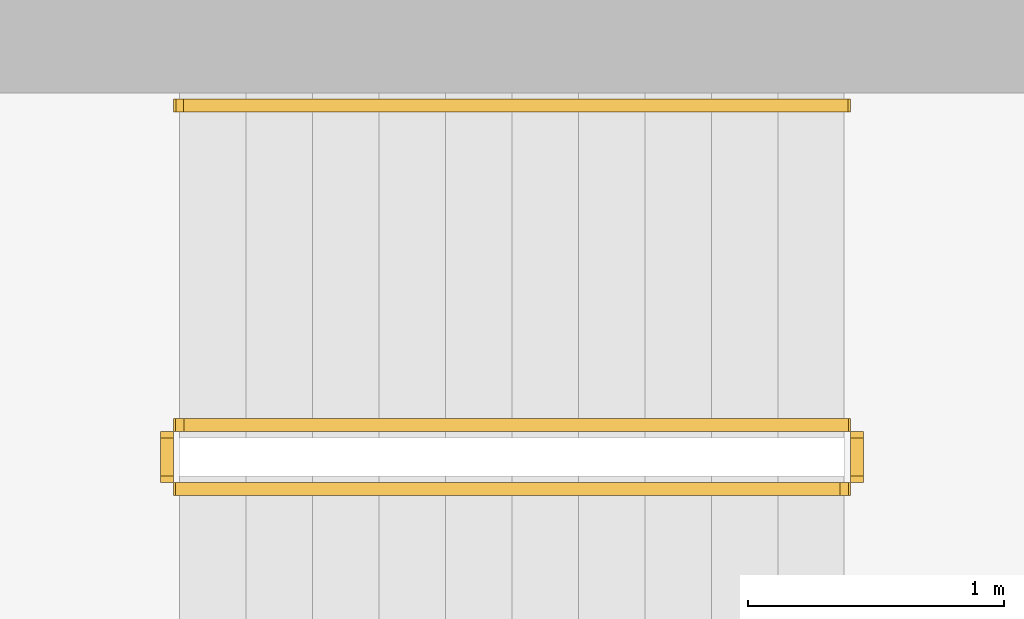
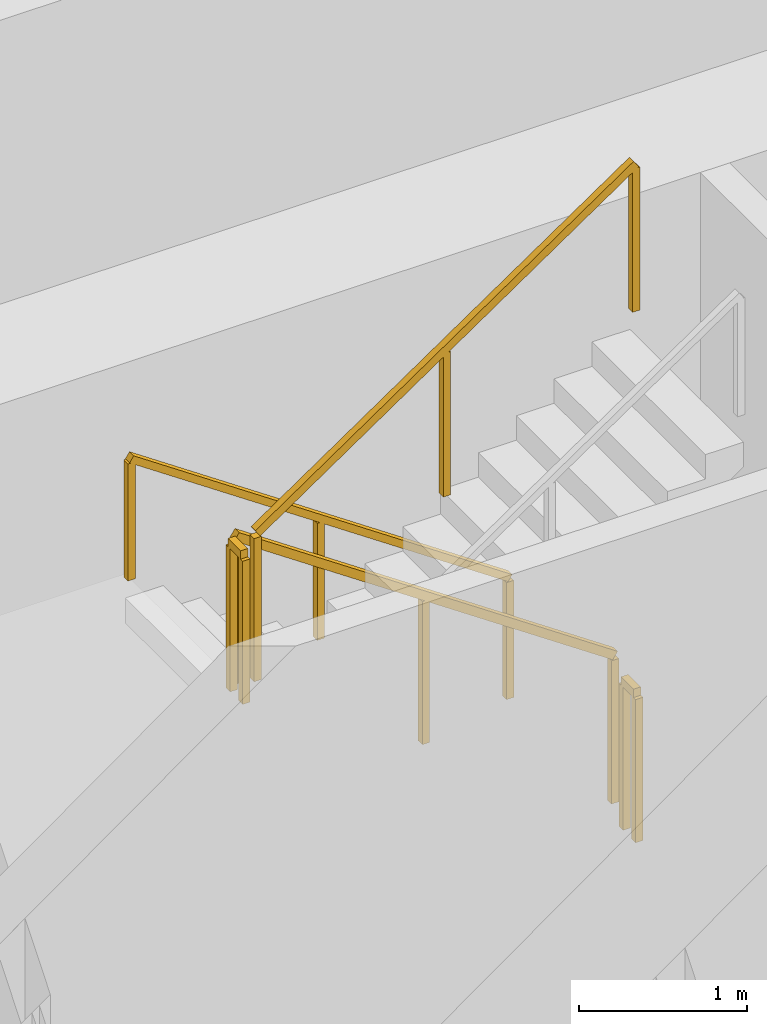
# One storey, part 13 of 14: 5 railings.
"""IFC4 building model written with IfcOpenShell, lengths in metres."""

from ifc_helpers import new_model, si_unit, direction, frame, origin, origin_2d, place, context, subcontext, project, spatial, rectangle, extrude, material, type_object, element, save


model = new_model("IFC4")

# Units and contexts
model_context = context("Model", 3, precision=1e-05, world=origin(), true_north=direction((0.0, 1.0)))
body_context = subcontext(model_context, "Body", "Model", "MODEL_VIEW")
ifc_project = project(units=[si_unit("LENGTHUNIT", "METRE"), si_unit("AREAUNIT", "SQUARE_METRE"), si_unit("VOLUMEUNIT", "CUBIC_METRE"), si_unit("PLANEANGLEUNIT", "RADIAN"), si_unit("MASSUNIT", "GRAM", prefix="KILO")], contexts=[model_context])

# Site, building, storey
site_placement = place(None, origin())
site = spatial("IfcSite", under=ifc_project, at=site_placement, CompositionType="ELEMENT")
building_placement = place(site_placement, origin())
building = spatial("IfcBuilding", under=site, at=building_placement, Name="Khepri Terraces", CompositionType="ELEMENT")
storey_placement = place(building_placement, frame((0.0, 0.0, 267.89990234375)))
storey = spatial("IfcBuildingStorey", under=building, at=storey_placement, Name="L64", CompositionType="ELEMENT", Elevation=267.89990234375)

# Railings
ifc_material = material(Name="Stainless steel 316", Category="steel")
railing_type_1 = type_object("IfcRailingType", Name="RL-CORE-GUARD", PredefinedType="GUARDRAIL", material=ifc_material)
railing_1_placement = place(storey_placement, frame((-0.25, 8.800048828125, 0.177490234375)))
element("IfcRailing", 1, at=railing_1_placement, inside=storey, type_object=railing_type_1, Name="L64 ST-3 stair guard 1", PredefinedType="GUARDRAIL", context=body_context, shape_type="SweptSolid", body=[
    extrude(rectangle(XDim=0.050048828125, YDim=0.06005859375, at=origin_2d()), frame((0.0, 0.0, 1.070068359375), z_axis=(-0.826240473404, 0.0, 0.563317565952), x_axis=(0.0, -1.0, 0.0)), (0.0, 0.0, 1.0), 3.14697265625),
    extrude(rectangle(XDim=0.050048828125, YDim=0.050048828125, at=origin_2d()), origin(), (0.0, 0.0, 1.0), 1.0400390625),
    extrude(rectangle(XDim=0.050048828125, YDim=0.050048828125, at=origin_2d()), frame((-1.300048828125, 0.0, 0.88623046875)), (0.0, 0.0, 1.0), 1.0400390625),
    extrude(rectangle(XDim=0.050048828125, YDim=0.050048828125, at=origin_2d()), frame((-2.60009765625, 0.0, 1.772705078125)), (0.0, 0.0, 1.0), 1.0400390625),
])
railing_2_placement = place(storey_placement, frame((-2.89990234375, 8.75, 1.9501953125)))
element("IfcRailing", 2, at=railing_2_placement, inside=storey, type_object=railing_type_1, Name="L64 ST-3 stair guard 2", PredefinedType="GUARDRAIL", context=body_context, shape_type="SweptSolid", body=[
    extrude(rectangle(XDim=0.050048828125, YDim=0.06005859375, at=origin_2d()), frame((0.0, 0.0, 1.070068359375), z_axis=(0.0, -1.0, 0.0), x_axis=(1.0, 0.0, 0.0)), (0.0, 0.0, 1.0), 0.14990234375),
    extrude(rectangle(XDim=0.050048828125, YDim=0.050048828125, at=origin_2d()), origin(), (0.0, 0.0, 1.0), 1.0400390625),
    extrude(rectangle(XDim=0.050048828125, YDim=0.050048828125, at=origin_2d()), frame((0.0, -0.14990234375, 0.0)), (0.0, 0.0, 1.0), 1.0400390625),
])
railing_3_placement = place(storey_placement, frame((-2.85009765625, 8.550048828125, 2.12744140625)))
element("IfcRailing", 3, at=railing_3_placement, inside=storey, type_object=railing_type_1, Name="L64 ST-3 stair guard 3", PredefinedType="GUARDRAIL", context=body_context, shape_type="SweptSolid", body=[
    extrude(rectangle(XDim=0.050048828125, YDim=0.06005859375, at=origin_2d()), frame((0.0, 0.0, 1.070068359375), z_axis=(0.826240473404, 0.0, 0.563317565952), x_axis=(0.0, 1.0, 0.0)), (0.0, 0.0, 1.0), 3.14697265625),
    extrude(rectangle(XDim=0.050048828125, YDim=0.050048828125, at=origin_2d()), origin(), (0.0, 0.0, 1.0), 1.0400390625),
    extrude(rectangle(XDim=0.050048828125, YDim=0.050048828125, at=origin_2d()), frame((1.300048828125, 0.0, 0.88623046875)), (0.0, 0.0, 1.0), 1.0400390625),
    extrude(rectangle(XDim=0.050048828125, YDim=0.050048828125, at=origin_2d()), frame((2.60009765625, 0.0, 1.772705078125)), (0.0, 0.0, 1.0), 1.0400390625),
])
railing_4_placement = place(storey_placement, frame((-0.199951171875, 8.75, 0.0)))
element("IfcRailing", 4, at=railing_4_placement, inside=storey, type_object=railing_type_1, Name="L64 ST-3 stair guard 4", PredefinedType="GUARDRAIL", context=body_context, shape_type="SweptSolid", body=[
    extrude(rectangle(XDim=0.050048828125, YDim=0.06005859375, at=origin_2d()), frame((0.0, 0.0, 1.070068359375), z_axis=(0.0, -1.0, 0.0), x_axis=(1.0, 0.0, 0.0)), (0.0, 0.0, 1.0), 0.14990234375),
    extrude(rectangle(XDim=0.050048828125, YDim=0.050048828125, at=origin_2d()), origin(), (0.0, 0.0, 1.0), 1.0400390625),
    extrude(rectangle(XDim=0.050048828125, YDim=0.050048828125, at=origin_2d()), frame((0.0, -0.14990234375, 0.0)), (0.0, 0.0, 1.0), 1.0400390625),
])
railing_type_2 = type_object("IfcRailingType", Name="RL-CORE-HANDRAIL", PredefinedType="HANDRAIL", material=ifc_material)
railing_5_placement = place(storey_placement, frame((-0.25, 10.050048828125, 0.177490234375)))
element("IfcRailing", 5, at=railing_5_placement, inside=storey, type_object=railing_type_2, Name="L64 ST-3 stair handrail 1", PredefinedType="HANDRAIL", context=body_context, shape_type="SweptSolid", body=[
    extrude(rectangle(XDim=0.050048828125, YDim=0.050048828125, at=origin_2d()), frame((0.0, 0.0, 0.875), z_axis=(-0.826240473404, 0.0, 0.563317565952), x_axis=(0.0, -1.0, 0.0)), (0.0, 0.0, 1.0), 3.14697265625),
    extrude(rectangle(XDim=0.050048828125, YDim=0.050048828125, at=origin_2d()), origin(), (0.0, 0.0, 1.0), 0.849853515625),
    extrude(rectangle(XDim=0.050048828125, YDim=0.050048828125, at=origin_2d()), frame((-1.300048828125, 0.0, 0.88623046875)), (0.0, 0.0, 1.0), 0.849853515625),
    extrude(rectangle(XDim=0.050048828125, YDim=0.050048828125, at=origin_2d()), frame((-2.60009765625, 0.0, 1.772705078125)), (0.0, 0.0, 1.0), 0.849853515625),
])

save(model, "model.ifc")
